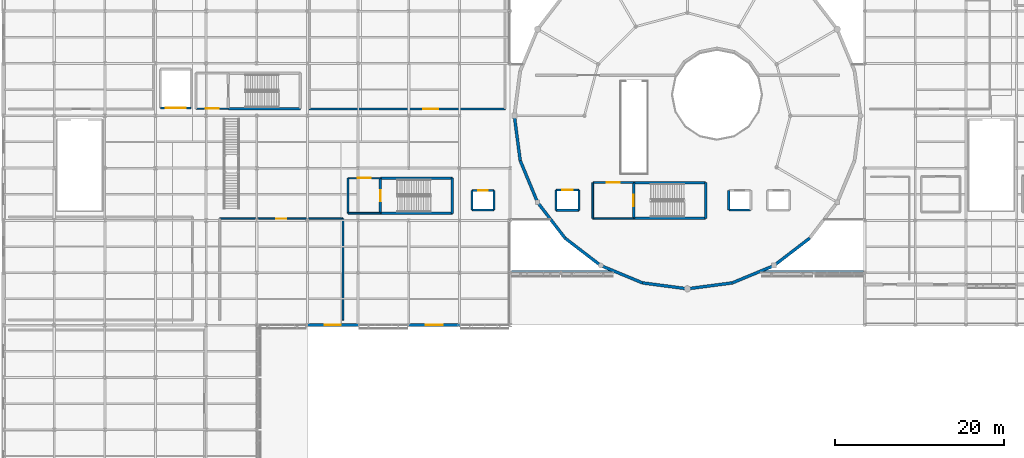
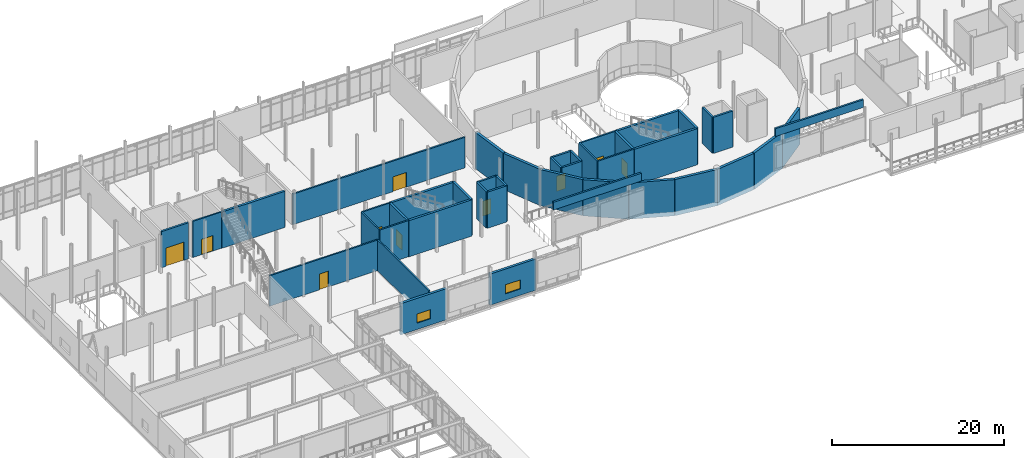
# One storey, part 67 of 105: 43 walls, 10 doors, 2 windows, 12 openings.
"""IFC4 building model written with IfcOpenShell, lengths in metres."""

from ifc_helpers import new_model, si_unit, direction, frame, frame_2d, origin, place, context, subcontext, project, spatial, rectangle, extrude, material, layer, layer_set, type_object, element, fill, save


model = new_model("IFC4")

# Units and contexts
model_context = context("Model", 3, precision=1e-05, world=origin(), true_north=direction((0.0, 1.0)))
body_context = subcontext(model_context, "Body", "Model", "MODEL_VIEW")
ifc_project = project(units=[si_unit("LENGTHUNIT", "METRE"), si_unit("AREAUNIT", "SQUARE_METRE"), si_unit("VOLUMEUNIT", "CUBIC_METRE"), si_unit("PLANEANGLEUNIT", "RADIAN"), si_unit("MASSUNIT", "GRAM", prefix="KILO")], contexts=[model_context])

# Site, building, storey
site_placement = place(None, origin())
site = spatial("IfcSite", under=ifc_project, at=site_placement, CompositionType="ELEMENT")
building_placement = place(site_placement, origin())
building = spatial("IfcBuilding", under=site, at=building_placement, Name="Mirzam Square Science Centre", CompositionType="ELEMENT")
storey_placement = place(building_placement, frame((0.0, 0.0, 5.39990234375)))
storey = spatial("IfcBuildingStorey", under=building, at=storey_placement, Name="L01", CompositionType="ELEMENT", Elevation=5.39990234375)

# Walls
ifc_material_1 = material(Name="Concrete C45/55", Category="concrete")
ifc_layer_1 = layer(ifc_material_1, 0.300048828125)
ifc_layer_set_1 = layer_set([ifc_layer_1], Name="W-CORE-300")
wall_type_1 = type_object("IfcWallType", Name="W-CORE-300", PredefinedType="SHEAR", material=ifc_layer_set_1)
for number, where, z_axis, x_axis, name in (
    (1, (44.639892578125, 50.43994140625, 0.0), (0.0, 0.0, 1.0), (1.0, 0.0, 0.0), "L01 CORE-1 south wall"),
    (2, (53.159912109375, 54.610107421875, 0.0), (0.0, 0.0, 1.0), (-1.0, 0.0, 0.0), "L01 CORE-1 north wall"),
):
    element("IfcWall", number, at=place(storey_placement, frame(where, z_axis=z_axis, x_axis=x_axis)), inside=storey, type_object=wall_type_1, Name=name, PredefinedType="SHEAR", context=body_context, shape_type="SweptSolid", body=[
        extrude(rectangle(XDim=8.52001953125, YDim=0.300048828125, at=frame_2d((4.260009765625, 0.0))), origin(), (0.0, 0.0, 1.0), 5.150146484375),
    ])

# Wall, opening, door
wall_1_placement = place(storey_placement, frame((44.639892578125, 54.610107421875, 0.0), z_axis=(0.0, 0.0, 1.0), x_axis=(0.0, -1.0, 0.0)))
wall_1 = element("IfcWall", 3, at=wall_1_placement, inside=storey, type_object=wall_type_1, Name="L01 CORE-1 west wall", PredefinedType="SHEAR", context=body_context, shape_type="SweptSolid", body=[
    extrude(rectangle(XDim=4.170166015625, YDim=0.300048828125, at=frame_2d((2.0849609375, 0.0))), origin(), (0.0, 0.0, 1.0), 5.150146484375),
])
opening_1_placement = place(wall_1_placement, frame((1.409912109375, 0.0, 0.0)))
opening_1 = element("IfcOpeningElement", 4, at=opening_1_placement, cuts=wall_1, Name="Opening DS-01", PredefinedType="OPENING", context=body_context, shape_type="SweptSolid", body=[
    extrude(rectangle(XDim=1.35009765625, YDim=2.199951171875, at=frame_2d((0.675048828125, 1.10009765625))), frame((0.0, 0.159912109375, 0.0), z_axis=(0.0, -1.0, 0.0), x_axis=(1.0, 0.0, 0.0)), (0.0, 0.0, 1.0), 0.320068359375),
])
ifc_material_2 = material(Name="Fire-Rated Powder-Coated Architectural Steel Door", Category="steel")
door_type_1 = type_object("IfcDoorType", Name="DR-STAIR-1350x2200", OperationType="NOTDEFINED", PredefinedType="DOOR", material=ifc_material_2)
door_1_placement = place(opening_1_placement, origin())
door_1 = element("IfcDoor", 5, at=door_1_placement, inside=storey, type_object=door_type_1, Name="DRS-1-L01", OperationType="SINGLE_SWING_LEFT", OverallHeight=2.199951171875, OverallWidth=1.35009765625, PredefinedType="DOOR", context=body_context, shape_type="SweptSolid", body=[
    extrude(rectangle(XDim=1.35009765625, YDim=2.199951171875, at=frame_2d((0.675048828125, 1.10009765625))), frame((0.0, 0.02490234375, 0.0), z_axis=(0.0, -1.0, 0.0), x_axis=(1.0, 0.0, 0.0)), (0.0, 0.0, 1.0), 0.050048828125),
])
fill(opening_1, door_1)

# Walls
wall_2_placement = place(storey_placement, frame((53.159912109375, 50.43994140625, 0.0), z_axis=(0.0, 0.0, 1.0), x_axis=(0.0, 1.0, 0.0)))
element("IfcWall", 6, at=wall_2_placement, inside=storey, type_object=wall_type_1, Name="L01 CORE-1 east wall", PredefinedType="SHEAR", context=body_context, shape_type="SweptSolid", body=[
    extrude(rectangle(XDim=4.170166015625, YDim=0.300048828125, at=frame_2d((2.0849609375, 0.0))), origin(), (0.0, 0.0, 1.0), 5.150146484375),
])
for number, where, z_axis, x_axis, name in (
    (7, (26.639892578125, 62.840087890625, 0.0), (0.0, 0.0, 1.0), (1.0, 0.0, 0.0), "L01 CORE-2 south wall"),
    (8, (74.639892578125, 49.840087890625, 0.0), (0.0, 0.0, 1.0), (1.0, 0.0, 0.0), "L01 CORE-3 south wall"),
    (9, (83.159912109375, 54.090087890625, 0.0), (0.0, 0.0, 1.0), (-1.0, 0.0, 0.0), "L01 CORE-3 north wall"),
):
    element("IfcWall", number, at=place(storey_placement, frame(where, z_axis=z_axis, x_axis=x_axis)), inside=storey, type_object=wall_type_1, Name=name, PredefinedType="SHEAR", context=body_context, shape_type="SweptSolid", body=[
        extrude(rectangle(XDim=8.52001953125, YDim=0.300048828125, at=frame_2d((4.260009765625, 0.0))), origin(), (0.0, 0.0, 1.0), 5.150146484375),
    ])

# Wall, opening, door
wall_3_placement = place(storey_placement, frame((74.639892578125, 54.090087890625, 0.0), z_axis=(0.0, 0.0, 1.0), x_axis=(0.0, -1.0, 0.0)))
wall_3 = element("IfcWall", 10, at=wall_3_placement, inside=storey, type_object=wall_type_1, Name="L01 CORE-3 west wall", PredefinedType="SHEAR", context=body_context, shape_type="SweptSolid", body=[
    extrude(rectangle(XDim=4.25, YDim=0.300048828125, at=frame_2d((2.125, 0.0))), origin(), (0.0, 0.0, 1.0), 5.150146484375),
])
opening_2_placement = place(wall_3_placement, frame((1.449951171875, 0.0, 0.0)))
opening_2 = element("IfcOpeningElement", 11, at=opening_2_placement, cuts=wall_3, Name="Opening DS-01", PredefinedType="OPENING", context=body_context, shape_type="SweptSolid", body=[
    extrude(rectangle(XDim=1.35009765625, YDim=2.199951171875, at=frame_2d((0.675048828125, 1.10009765625))), frame((0.0, 0.159912109375, 0.0), z_axis=(0.0, -1.0, 0.0), x_axis=(1.0, 0.0, 0.0)), (0.0, 0.0, 1.0), 0.320068359375),
])
door_2_placement = place(opening_2_placement, origin())
door_2 = element("IfcDoor", 12, at=door_2_placement, inside=storey, type_object=door_type_1, Name="DRS-3-L01", OperationType="SINGLE_SWING_LEFT", OverallHeight=2.199951171875, OverallWidth=1.35009765625, PredefinedType="DOOR", context=body_context, shape_type="SweptSolid", body=[
    extrude(rectangle(XDim=1.35009765625, YDim=2.199951171875, at=frame_2d((0.675048828125, 1.10009765625))), frame((0.0, 0.02490234375, 0.0), z_axis=(0.0, -1.0, 0.0), x_axis=(1.0, 0.0, 0.0)), (0.0, 0.0, 1.0), 0.050048828125),
])
fill(opening_2, door_2)

# Walls
wall_4_placement = place(storey_placement, frame((83.159912109375, 49.840087890625, 0.0), z_axis=(0.0, 0.0, 1.0), x_axis=(0.0, 1.0, 0.0)))
element("IfcWall", 13, at=wall_4_placement, inside=storey, type_object=wall_type_1, Name="L01 CORE-3 east wall", PredefinedType="SHEAR", context=body_context, shape_type="SweptSolid", body=[
    extrude(rectangle(XDim=4.25, YDim=0.300048828125, at=frame_2d((2.125, 0.0))), origin(), (0.0, 0.0, 1.0), 5.150146484375),
])
ifc_layer_2 = layer(ifc_material_1, 0.35009765625)
ifc_layer_set_2 = layer_set([ifc_layer_2], Name="W-DRUM-350")
wall_type_2 = type_object("IfcWallType", Name="W-DRUM-350", PredefinedType="SHEAR", material=ifc_layer_set_2)
wall_5_placement = place(storey_placement, frame((60.5, 62.0, 0.0), z_axis=(0.0, 0.0, 1.0), x_axis=(0.130517056518, -0.991446064069, 0.0)))
element("IfcWall", 14, at=wall_5_placement, inside=storey, type_object=wall_type_2, Name="L01 planetarium drum wall 13", PredefinedType="SHEAR", context=body_context, shape_type="SweptSolid", body=[
    extrude(rectangle(XDim=5.351806640625, YDim=0.35009765625, at=frame_2d((2.67578125, 0.0))), origin(), (0.0, 0.0, 1.0), 5.150146484375),
])
for number, where, z_axis, x_axis, name in (
    (15, (61.198486328125, 56.694091796875, 0.0), (0.0, 0.0, 1.0), (0.382713071139, -0.923867255172, 0.0), "L01 planetarium drum wall 14"),
    (16, (63.24658203125, 51.75, 0.0), (0.0, 0.0, 1.0), (0.60876670321, -0.793349293227, 0.0), "L01 planetarium drum wall 15"),
    (17, (66.50439453125, 47.50439453125, 0.0), (0.0, 0.0, 1.0), (0.793349293227, -0.60876670321, 0.0), "L01 planetarium drum wall 16"),
    (18, (70.75, 44.24658203125, 0.0), (0.0, 0.0, 1.0), (0.923867255172, -0.382713071139, 0.0), "L01 planetarium drum wall 17"),
):
    element("IfcWall", number, at=place(storey_placement, frame(where, z_axis=z_axis, x_axis=x_axis)), inside=storey, type_object=wall_type_2, Name=name, PredefinedType="SHEAR", context=body_context, shape_type="SweptSolid", body=[
        extrude(rectangle(XDim=5.3515625, YDim=0.35009765625, at=frame_2d((2.67578125, 0.0))), origin(), (0.0, 0.0, 1.0), 5.150146484375),
    ])
for number, where, z_axis, x_axis, name in (
    (19, (75.694091796875, 42.198486328125, 0.0), (0.0, 0.0, 1.0), (0.991446064069, -0.130517056518, 0.0), "L01 planetarium drum wall 18"),
    (20, (81.0, 41.5, 0.0), (0.0, 0.0, 1.0), (0.991446064069, 0.130517056518, 0.0), "L01 planetarium drum wall 19"),
):
    element("IfcWall", number, at=place(storey_placement, frame(where, z_axis=z_axis, x_axis=x_axis)), inside=storey, type_object=wall_type_2, Name=name, PredefinedType="SHEAR", context=body_context, shape_type="SweptSolid", body=[
        extrude(rectangle(XDim=5.351806640625, YDim=0.35009765625, at=frame_2d((2.67578125, 0.0))), origin(), (0.0, 0.0, 1.0), 5.150146484375),
    ])
for number, where, z_axis, x_axis, name in (
    (21, (86.305908203125, 42.198486328125, 0.0), (0.0, 0.0, 1.0), (0.923867255172, 0.382713071139, 0.0), "L01 planetarium drum wall 20"),
    (22, (91.25, 44.24658203125, 0.0), (0.0, 0.0, 1.0), (0.793349293227, 0.60876670321, 0.0), "L01 planetarium drum wall 21"),
):
    element("IfcWall", number, at=place(storey_placement, frame(where, z_axis=z_axis, x_axis=x_axis)), inside=storey, type_object=wall_type_2, Name=name, PredefinedType="SHEAR", context=body_context, shape_type="SweptSolid", body=[
        extrude(rectangle(XDim=5.3515625, YDim=0.35009765625, at=frame_2d((2.67578125, 0.0))), origin(), (0.0, 0.0, 1.0), 5.150146484375),
    ])

# Wall, opening, window
ifc_material_3 = material(Name="Standing-Seam Zinc-Clad Concrete Backup C40/50", Category="concrete")
ifc_layer_3 = layer(ifc_material_3, 0.330078125)
ifc_layer_set_3 = layer_set([ifc_layer_3], Name="W-EXT-METAL-330")
wall_type_3 = type_object("IfcWallType", Name="W-EXT-METAL-330", PredefinedType="SOLIDWALL", material=ifc_layer_set_3)
wall_6_placement = place(storey_placement, frame((35.925048828125, 37.199951171875, 0.0), z_axis=(0.0, 0.0, 1.0), x_axis=(1.0, 0.0, 0.0)))
wall_6 = element("IfcWall", 23, at=wall_6_placement, inside=storey, type_object=wall_type_3, Name="L01 external wall EW-WDG-S-L01-07", PredefinedType="SOLIDWALL", context=body_context, shape_type="SweptSolid", body=[
    extrude(rectangle(XDim=6.14990234375, YDim=0.330078125, at=frame_2d((3.074951171875, 0.0))), origin(), (0.0, 0.0, 1.0), 4.440185546875),
])
opening_3_placement = place(wall_6_placement, frame((2.14990234375, 0.0, 0.89990234375)))
opening_3 = element("IfcOpeningElement", 24, at=opening_3_placement, cuts=wall_6, Name="Opening W-06", PredefinedType="OPENING", context=body_context, shape_type="SweptSolid", body=[
    extrude(rectangle(XDim=1.85009765625, YDim=1.300048828125, at=frame_2d((0.925048828125, 0.64990234375))), frame((0.0, 0.175048828125, 0.0), z_axis=(0.0, -1.0, 0.0), x_axis=(1.0, 0.0, 0.0)), (0.0, 0.0, 1.0), 0.35009765625),
])
ifc_material_4 = material(Name="Thermally Broken Bronze Aluminium and Low-E Glass", Category="aluminium")
window_type_1 = type_object("IfcWindowType", Name="WIN-1850x1300", PartitioningType="DOUBLE_PANEL_VERTICAL", PredefinedType="WINDOW", material=ifc_material_4)
window_1_placement = place(opening_3_placement, origin())
window_1 = element("IfcWindow", 25, at=window_1_placement, inside=storey, type_object=window_type_1, Name="L01 solar window 006", OverallHeight=1.300048828125, OverallWidth=1.85009765625, PartitioningType="DOUBLE_PANEL_VERTICAL", PredefinedType="WINDOW", context=body_context, shape_type="SweptSolid", body=[
    extrude(rectangle(XDim=1.85009765625, YDim=1.300048828125, at=frame_2d((0.925048828125, 0.64990234375))), frame((0.0, 0.030029296875, 0.0), z_axis=(0.0, -1.0, 0.0), x_axis=(1.0, 0.0, 0.0)), (0.0, 0.0, 1.0), 0.06005859375),
])
fill(opening_3, window_1)

wall_7_placement = place(storey_placement, frame((47.925048828125, 37.199951171875, 0.0), z_axis=(0.0, 0.0, 1.0), x_axis=(1.0, 0.0, 0.0)))
wall_7 = element("IfcWall", 26, at=wall_7_placement, inside=storey, type_object=wall_type_3, Name="L01 external wall EW-WDG-S-L01-09", PredefinedType="SOLIDWALL", context=body_context, shape_type="SweptSolid", body=[
    extrude(rectangle(XDim=6.14990234375, YDim=0.330078125, at=frame_2d((3.074951171875, 0.0))), origin(), (0.0, 0.0, 1.0), 4.440185546875),
])
opening_4_placement = place(wall_7_placement, frame((2.074951171875, 0.0, 0.89990234375)))
opening_4 = element("IfcOpeningElement", 27, at=opening_4_placement, cuts=wall_7, Name="Opening W-07", PredefinedType="OPENING", context=body_context, shape_type="SweptSolid", body=[
    extrude(rectangle(XDim=2.0, YDim=1.300048828125, at=frame_2d((1.0, 0.64990234375))), frame((0.0, 0.175048828125, 0.0), z_axis=(0.0, -1.0, 0.0), x_axis=(1.0, 0.0, 0.0)), (0.0, 0.0, 1.0), 0.35009765625),
])
window_type_2 = type_object("IfcWindowType", Name="WIN-2000x1300", PartitioningType="DOUBLE_PANEL_VERTICAL", PredefinedType="WINDOW", material=ifc_material_4)
window_2_placement = place(opening_4_placement, origin())
window_2 = element("IfcWindow", 28, at=window_2_placement, inside=storey, type_object=window_type_2, Name="L01 solar window 007", OverallHeight=1.300048828125, OverallWidth=2.0, PartitioningType="DOUBLE_PANEL_VERTICAL", PredefinedType="WINDOW", context=body_context, shape_type="SweptSolid", body=[
    extrude(rectangle(XDim=2.0, YDim=1.300048828125, at=frame_2d((1.0, 0.64990234375))), frame((0.0, 0.030029296875, 0.0), z_axis=(0.0, -1.0, 0.0), x_axis=(1.0, 0.0, 0.0)), (0.0, 0.0, 1.0), 0.06005859375),
])
fill(opening_4, window_2)

# Wall
ifc_layer_4 = layer(ifc_material_1, 0.199951171875)
ifc_layer_set_4 = layer_set([ifc_layer_4], Name="W-LOBBY-200")
wall_type_4 = type_object("IfcWallType", Name="W-LOBBY-200", PredefinedType="SHEAR", material=ifc_layer_set_4)
wall_8_placement = place(storey_placement, frame((40.800048828125, 50.43994140625, 0.0), z_axis=(0.0, 0.0, 1.0), x_axis=(1.0, 0.0, 0.0)))
element("IfcWall", 29, at=wall_8_placement, inside=storey, type_object=wall_type_4, Name="L01 CORE-1 lobby south wall", PredefinedType="SHEAR", context=body_context, shape_type="SweptSolid", body=[
    extrude(rectangle(XDim=3.83984375, YDim=0.199951171875, at=frame_2d((1.919921875, 0.0))), origin(), (0.0, 0.0, 1.0), 5.150146484375),
])

# Wall, opening, door
wall_9_placement = place(storey_placement, frame((44.639892578125, 54.610107421875, 0.0), z_axis=(0.0, 0.0, 1.0), x_axis=(-1.0, 0.0, 0.0)))
wall_9 = element("IfcWall", 30, at=wall_9_placement, inside=storey, type_object=wall_type_4, Name="L01 CORE-1 lobby north wall", PredefinedType="SHEAR", context=body_context, shape_type="SweptSolid", body=[
    extrude(rectangle(XDim=3.83984375, YDim=0.199951171875, at=frame_2d((1.919921875, 0.0))), origin(), (0.0, 0.0, 1.0), 5.150146484375),
])
opening_5_placement = place(wall_9_placement, frame((1.14501953125, 0.0, 0.0)))
opening_5 = element("IfcOpeningElement", 31, at=opening_5_placement, cuts=wall_9, Name="Opening DL-01", PredefinedType="OPENING", context=body_context, shape_type="SweptSolid", body=[
    extrude(rectangle(XDim=1.550048828125, YDim=2.199951171875, at=frame_2d((0.77490234375, 1.10009765625))), frame((0.0, 0.10986328125, 0.0), z_axis=(0.0, -1.0, 0.0), x_axis=(1.0, 0.0, 0.0)), (0.0, 0.0, 1.0), 0.219970703125),
])
ifc_material_5 = material(Name="Fire-Rated Glazed Architectural Steel Lobby Door", Category="steel")
door_type_2 = type_object("IfcDoorType", Name="DR-LOBBY-1550x2200", OperationType="DOUBLE_DOOR_SINGLE_SWING", PredefinedType="DOOR", material=ifc_material_5)
door_3_placement = place(opening_5_placement, origin())
door_3 = element("IfcDoor", 32, at=door_3_placement, inside=storey, type_object=door_type_2, Name="DRL-1-L01", OperationType="SINGLE_SWING_LEFT", OverallHeight=2.199951171875, OverallWidth=1.550048828125, PredefinedType="DOOR", context=body_context, shape_type="SweptSolid", body=[
    extrude(rectangle(XDim=1.550048828125, YDim=2.199951171875, at=frame_2d((0.77490234375, 1.10009765625))), frame((0.0, 0.02490234375, 0.0), z_axis=(0.0, -1.0, 0.0), x_axis=(1.0, 0.0, 0.0)), (0.0, 0.0, 1.0), 0.050048828125),
])
fill(opening_5, door_3)

# Wall
wall_10_placement = place(storey_placement, frame((40.800048828125, 54.610107421875, 0.0), z_axis=(0.0, 0.0, 1.0), x_axis=(0.0, -1.0, 0.0)))
element("IfcWall", 33, at=wall_10_placement, inside=storey, type_object=wall_type_4, Name="L01 CORE-1 lobby west wall", PredefinedType="SHEAR", context=body_context, shape_type="SweptSolid", body=[
    extrude(rectangle(XDim=4.170166015625, YDim=0.199951171875, at=frame_2d((2.0849609375, 0.0))), origin(), (0.0, 0.0, 1.0), 5.150146484375),
])

# Wall, opening, door
wall_11_placement = place(storey_placement, frame((22.800048828125, 62.840087890625, 0.0), z_axis=(0.0, 0.0, 1.0), x_axis=(1.0, 0.0, 0.0)))
wall_11 = element("IfcWall", 34, at=wall_11_placement, inside=storey, type_object=wall_type_4, Name="L01 CORE-2 lobby south wall", PredefinedType="SHEAR", context=body_context, shape_type="SweptSolid", body=[
    extrude(rectangle(XDim=3.83984375, YDim=0.199951171875, at=frame_2d((1.919921875, 0.0))), origin(), (0.0, 0.0, 1.0), 5.150146484375),
])
opening_6_placement = place(wall_11_placement, frame((1.14501953125, 0.0, 0.0)))
opening_6 = element("IfcOpeningElement", 35, at=opening_6_placement, cuts=wall_11, Name="Opening DL-01", PredefinedType="OPENING", context=body_context, shape_type="SweptSolid", body=[
    extrude(rectangle(XDim=1.550048828125, YDim=2.199951171875, at=frame_2d((0.77490234375, 1.10009765625))), frame((0.0, 0.10986328125, 0.0), z_axis=(0.0, -1.0, 0.0), x_axis=(1.0, 0.0, 0.0)), (0.0, 0.0, 1.0), 0.219970703125),
])
door_4_placement = place(opening_6_placement, origin())
door_4 = element("IfcDoor", 36, at=door_4_placement, inside=storey, type_object=door_type_2, Name="DRL-2-L01", OperationType="SINGLE_SWING_LEFT", OverallHeight=2.199951171875, OverallWidth=1.550048828125, PredefinedType="DOOR", context=body_context, shape_type="SweptSolid", body=[
    extrude(rectangle(XDim=1.550048828125, YDim=2.199951171875, at=frame_2d((0.77490234375, 1.10009765625))), frame((0.0, 0.02490234375, 0.0), z_axis=(0.0, -1.0, 0.0), x_axis=(1.0, 0.0, 0.0)), (0.0, 0.0, 1.0), 0.050048828125),
])
fill(opening_6, door_4)

# Wall
wall_12_placement = place(storey_placement, frame((69.800048828125, 49.840087890625, 0.0), z_axis=(0.0, 0.0, 1.0), x_axis=(1.0, 0.0, 0.0)))
element("IfcWall", 37, at=wall_12_placement, inside=storey, type_object=wall_type_4, Name="L01 CORE-3 lobby south wall", PredefinedType="SHEAR", context=body_context, shape_type="SweptSolid", body=[
    extrude(rectangle(XDim=4.83984375, YDim=0.199951171875, at=frame_2d((2.419921875, 0.0))), origin(), (0.0, 0.0, 1.0), 5.150146484375),
])

# Wall, opening, door
wall_13_placement = place(storey_placement, frame((74.639892578125, 54.090087890625, 0.0), z_axis=(0.0, 0.0, 1.0), x_axis=(-1.0, 0.0, 0.0)))
wall_13 = element("IfcWall", 38, at=wall_13_placement, inside=storey, type_object=wall_type_4, Name="L01 CORE-3 lobby north wall", PredefinedType="SHEAR", context=body_context, shape_type="SweptSolid", body=[
    extrude(rectangle(XDim=4.83984375, YDim=0.199951171875, at=frame_2d((2.419921875, 0.0))), origin(), (0.0, 0.0, 1.0), 5.150146484375),
])
opening_7_placement = place(wall_13_placement, frame((1.64501953125, 0.0, 0.0)))
opening_7 = element("IfcOpeningElement", 39, at=opening_7_placement, cuts=wall_13, Name="Opening DL-01", PredefinedType="OPENING", context=body_context, shape_type="SweptSolid", body=[
    extrude(rectangle(XDim=1.550048828125, YDim=2.199951171875, at=frame_2d((0.77490234375, 1.10009765625))), frame((0.0, 0.10986328125, 0.0), z_axis=(0.0, -1.0, 0.0), x_axis=(1.0, 0.0, 0.0)), (0.0, 0.0, 1.0), 0.219970703125),
])
door_5_placement = place(opening_7_placement, origin())
door_5 = element("IfcDoor", 40, at=door_5_placement, inside=storey, type_object=door_type_2, Name="DRL-3-L01", OperationType="SINGLE_SWING_LEFT", OverallHeight=2.199951171875, OverallWidth=1.550048828125, PredefinedType="DOOR", context=body_context, shape_type="SweptSolid", body=[
    extrude(rectangle(XDim=1.550048828125, YDim=2.199951171875, at=frame_2d((0.77490234375, 1.10009765625))), frame((0.0, 0.02490234375, 0.0), z_axis=(0.0, -1.0, 0.0), x_axis=(1.0, 0.0, 0.0)), (0.0, 0.0, 1.0), 0.050048828125),
])
fill(opening_7, door_5)

# Walls
wall_14_placement = place(storey_placement, frame((69.800048828125, 54.090087890625, 0.0), z_axis=(0.0, 0.0, 1.0), x_axis=(0.0, -1.0, 0.0)))
element("IfcWall", 41, at=wall_14_placement, inside=storey, type_object=wall_type_4, Name="L01 CORE-3 lobby west wall", PredefinedType="SHEAR", context=body_context, shape_type="SweptSolid", body=[
    extrude(rectangle(XDim=4.25, YDim=0.199951171875, at=frame_2d((2.125, 0.0))), origin(), (0.0, 0.0, 1.0), 5.150146484375),
])
ifc_material_6 = material(Name="Limestone Coping Parapet Concrete C40/50", Category="masonry")
ifc_layer_5 = layer(ifc_material_6, 0.239990234375)
ifc_layer_set_5 = layer_set([ifc_layer_5], Name="W-PARAPET-240")
wall_type_5 = type_object("IfcWallType", Name="W-PARAPET-240", PredefinedType="PARAPET", material=ifc_layer_set_5)
for number, where, z_axis, x_axis, name in (
    (42, (60.14990234375, 43.550048828125, 5.400146484375), (0.0, 0.0, 1.0), (1.0, 0.0, 0.0), "Central link roof S parapet LNK-W"),
    (43, (90.0, 43.550048828125, 5.400146484375), (0.0, 0.0, 1.0), (1.0, 0.0, 0.0), "Central link roof S parapet LNK-E"),
):
    element("IfcWall", number, at=place(storey_placement, frame(where, z_axis=z_axis, x_axis=x_axis)), inside=storey, type_object=wall_type_5, Name=name, PredefinedType="PARAPET", context=body_context, shape_type="SweptSolid", body=[
        extrude(rectangle(XDim=11.85009765625, YDim=0.239990234375, at=frame_2d((5.925048828125, 0.0))), origin(), (0.0, 0.0, 1.0), 1.099853515625),
    ])

# Wall, opening, door
ifc_material_7 = material(Name="Fire-Rated Corridor Blockwork Concrete C30/37", Category="masonry")
ifc_layer_6 = layer(ifc_material_7, 0.199951171875)
ifc_layer_set_6 = layer_set([ifc_layer_6], Name="W-PART-200")
wall_type_6 = type_object("IfcWallType", Name="W-PART-200", PredefinedType="PARTITIONING", material=ifc_layer_set_6)
wall_15_placement = place(storey_placement, frame((25.60009765625, 49.800048828125, 0.0), z_axis=(0.0, 0.0, 1.0), x_axis=(1.0, 0.0, 0.0)))
wall_15 = element("IfcWall", 44, at=wall_15_placement, inside=storey, type_object=wall_type_6, Name="L01 Applied Mechanics and Wind Tunnel Laboratory partition 151", PredefinedType="PARTITIONING", context=body_context, shape_type="SweptSolid", body=[
    extrude(rectangle(XDim=14.599853515625, YDim=0.199951171875, at=frame_2d((7.2998046875, 0.0))), origin(), (0.0, 0.0, 1.0), 4.35009765625),
])
opening_8_placement = place(wall_15_placement, frame((6.699951171875, 0.0, 0.0)))
opening_8 = element("IfcOpeningElement", 45, at=opening_8_placement, cuts=wall_15, Name="Opening D-18", PredefinedType="OPENING", context=body_context, shape_type="SweptSolid", body=[
    extrude(rectangle(XDim=1.199951171875, YDim=2.25, at=frame_2d((0.60009765625, 1.125))), frame((0.0, 0.10986328125, 0.0), z_axis=(0.0, -1.0, 0.0), x_axis=(1.0, 0.0, 0.0)), (0.0, 0.0, 1.0), 0.219970703125),
])
ifc_material_8 = material(Name="Solid Core Acoustic Oak Timber Door", Category="wood")
door_type_3 = type_object("IfcDoorType", Name="DR-INT-1200x2250", OperationType="NOTDEFINED", PredefinedType="DOOR", material=ifc_material_8)
door_6_placement = place(opening_8_placement, origin())
door_6 = element("IfcDoor", 46, at=door_6_placement, inside=storey, type_object=door_type_3, Name="ID-L01-0041", OperationType="SINGLE_SWING_RIGHT", OverallHeight=2.25, OverallWidth=1.199951171875, PredefinedType="DOOR", context=body_context, shape_type="SweptSolid", body=[
    extrude(rectangle(XDim=1.199951171875, YDim=2.25, at=frame_2d((0.60009765625, 1.125))), frame((0.0, 0.02490234375, 0.0), z_axis=(0.0, -1.0, 0.0), x_axis=(1.0, 0.0, 0.0)), (0.0, 0.0, 1.0), 0.050048828125),
])
fill(opening_8, door_6)

# Wall
wall_16_placement = place(storey_placement, frame((40.199951171875, 49.800048828125, 0.0), z_axis=(0.0, 0.0, 1.0), x_axis=(0.0, -1.0, 0.0)))
element("IfcWall", 47, at=wall_16_placement, inside=storey, type_object=wall_type_6, Name="L01 Applied Mechanics and Wind Tunnel Laboratory partition 152", PredefinedType="PARTITIONING", context=body_context, shape_type="SweptSolid", body=[
    extrude(rectangle(XDim=12.0, YDim=0.199951171875, at=frame_2d((6.0, 0.0))), origin(), (0.0, 0.0, 1.0), 4.35009765625),
])

# Wall, opening, door
ifc_material_9 = material(Name="Chemical Prep Fire Partition Concrete C30/37", Category="concrete")
ifc_layer_7 = layer(ifc_material_9, 0.215087890625)
ifc_layer_set_7 = layer_set([ifc_layer_7], Name="W-PART-215")
wall_type_7 = type_object("IfcWallType", Name="W-PART-215", PredefinedType="PARTITIONING", material=ifc_layer_set_7)
wall_17_placement = place(storey_placement, frame((59.39990234375, 62.800048828125, 0.0), z_axis=(0.0, 0.0, 1.0), x_axis=(-1.0, 0.0, 0.0)))
wall_17 = element("IfcWall", 48, at=wall_17_placement, inside=storey, type_object=wall_type_7, Name="L01 Optics and Acoustics Exhibition Hall 3 partition 118", PredefinedType="PARTITIONING", context=body_context, shape_type="SweptSolid", body=[
    extrude(rectangle(XDim=23.199951171875, YDim=0.215087890625, at=frame_2d((11.60009765625, 0.0))), origin(), (0.0, 0.0, 1.0), 4.35009765625),
])
opening_9_placement = place(wall_17_placement, frame((7.916015625, 0.0, 0.0)))
opening_9 = element("IfcOpeningElement", 49, at=opening_9_placement, cuts=wall_17, Name="Opening D-09", PredefinedType="OPENING", context=body_context, shape_type="SweptSolid", body=[
    extrude(rectangle(XDim=1.800048828125, YDim=2.10009765625, at=frame_2d((0.89990234375, 1.050048828125))), frame((0.0, 0.117431640625, 0.0), z_axis=(0.0, -1.0, 0.0), x_axis=(1.0, 0.0, 0.0)), (0.0, 0.0, 1.0), 0.235107421875),
])
ifc_material_10 = material(Name="Powder-Coated Architectural Steel Acoustic Door", Category="steel")
door_type_4 = type_object("IfcDoorType", Name="DR-INT-1800x2100", OperationType="DOUBLE_DOOR_SINGLE_SWING", PredefinedType="DOOR", material=ifc_material_10)
door_7_placement = place(opening_9_placement, origin())
door_7 = element("IfcDoor", 50, at=door_7_placement, inside=storey, type_object=door_type_4, Name="ID-L01-0032", OperationType="DOUBLE_DOOR_SINGLE_SWING", OverallHeight=2.10009765625, OverallWidth=1.800048828125, PredefinedType="DOOR", context=body_context, shape_type="SweptSolid", body=[
    extrude(rectangle(XDim=1.800048828125, YDim=2.10009765625, at=frame_2d((0.89990234375, 1.050048828125))), frame((0.0, 0.02490234375, 0.0), z_axis=(0.0, -1.0, 0.0), x_axis=(1.0, 0.0, 0.0)), (0.0, 0.0, 1.0), 0.050048828125),
])
fill(opening_9, door_7)

# Walls
ifc_layer_8 = layer(ifc_material_1, 0.25)
ifc_layer_set_8 = layer_set([ifc_layer_8], Name="W-SHAFT-250")
wall_type_8 = type_object("IfcWallType", Name="W-SHAFT-250", PredefinedType="SHEAR", material=ifc_layer_set_8)
wall_18_placement = place(storey_placement, frame((85.89990234375, 50.85009765625, 0.0), z_axis=(0.0, 0.0, 1.0), x_axis=(1.0, 0.0, 0.0)))
element("IfcWall", 51, at=wall_18_placement, inside=storey, type_object=wall_type_8, Name="L01 lift LP-01 shaft wall S", PredefinedType="SHEAR", context=body_context, shape_type="SweptSolid", body=[
    extrude(rectangle(XDim=2.60009765625, YDim=0.25, at=frame_2d((1.300048828125, 0.0))), origin(), (0.0, 0.0, 1.0), 5.150146484375),
])
wall_19_placement = place(storey_placement, frame((85.89990234375, 53.14990234375, 0.0), z_axis=(0.0, 0.0, 1.0), x_axis=(0.0, -1.0, 0.0)))
element("IfcWall", 52, at=wall_19_placement, inside=storey, type_object=wall_type_8, Name="L01 lift LP-01 shaft wall W", PredefinedType="SHEAR", context=body_context, shape_type="SweptSolid", body=[
    extrude(rectangle(XDim=2.2998046875, YDim=0.25, at=frame_2d((1.14990234375, 0.0))), origin(), (0.0, 0.0, 1.0), 5.150146484375),
])
wall_20_placement = place(storey_placement, frame((55.5, 50.85009765625, 0.0), z_axis=(0.0, 0.0, 1.0), x_axis=(1.0, 0.0, 0.0)))
element("IfcWall", 53, at=wall_20_placement, inside=storey, type_object=wall_type_8, Name="L01 lift LP-04 shaft wall S", PredefinedType="SHEAR", context=body_context, shape_type="SweptSolid", body=[
    extrude(rectangle(XDim=2.60009765625, YDim=0.25, at=frame_2d((1.300048828125, 0.0))), origin(), (0.0, 0.0, 1.0), 5.150146484375),
])

# Wall, opening, door
wall_21_placement = place(storey_placement, frame((58.10009765625, 53.14990234375, 0.0), z_axis=(0.0, 0.0, 1.0), x_axis=(-1.0, 0.0, 0.0)))
wall_21 = element("IfcWall", 54, at=wall_21_placement, inside=storey, type_object=wall_type_8, Name="L01 lift LP-04 shaft wall N", PredefinedType="SHEAR", context=body_context, shape_type="SweptSolid", body=[
    extrude(rectangle(XDim=2.60009765625, YDim=0.25, at=frame_2d((1.300048828125, 0.0))), origin(), (0.0, 0.0, 1.0), 5.150146484375),
])
opening_10_placement = place(wall_21_placement, frame((0.75, 0.0, 0.0)))
opening_10 = element("IfcOpeningElement", 55, at=opening_10_placement, cuts=wall_21, Name="Opening LD-01", PredefinedType="OPENING", context=body_context, shape_type="SweptSolid", body=[
    extrude(rectangle(XDim=1.10009765625, YDim=2.14990234375, at=frame_2d((0.550048828125, 1.074951171875))), frame((0.0, 0.135009765625, 0.0), z_axis=(0.0, -1.0, 0.0), x_axis=(1.0, 0.0, 0.0)), (0.0, 0.0, 1.0), 0.27001953125),
])
ifc_material_11 = material(Name="Brushed Stainless Steel 316L Sliding Lift Door", Category="steel")
door_type_5 = type_object("IfcDoorType", Name="LD-PASS-1100x2150", OperationType="DOUBLE_DOOR_SLIDING", PredefinedType="DOOR", material=ifc_material_11)
door_8_placement = place(opening_10_placement, origin())
door_8 = element("IfcDoor", 56, at=door_8_placement, inside=storey, type_object=door_type_5, Name="LD-LP-04-L01", OperationType="DOUBLE_DOOR_SLIDING", OverallHeight=2.14990234375, OverallWidth=1.10009765625, PredefinedType="DOOR", context=body_context, shape_type="SweptSolid", body=[
    extrude(rectangle(XDim=1.10009765625, YDim=2.14990234375, at=frame_2d((0.550048828125, 1.074951171875))), frame((0.0, 0.02490234375, 0.0), z_axis=(0.0, -1.0, 0.0), x_axis=(1.0, 0.0, 0.0)), (0.0, 0.0, 1.0), 0.050048828125),
])
fill(opening_10, door_8)

# Walls
for number, where, z_axis, x_axis, name in (
    (57, (55.5, 53.14990234375, 0.0), (0.0, 0.0, 1.0), (0.0, -1.0, 0.0), "L01 lift LP-04 shaft wall W"),
    (58, (58.10009765625, 50.85009765625, 0.0), (0.0, 0.0, 1.0), (0.0, 1.0, 0.0), "L01 lift LP-04 shaft wall E"),
):
    element("IfcWall", number, at=place(storey_placement, frame(where, z_axis=z_axis, x_axis=x_axis)), inside=storey, type_object=wall_type_8, Name=name, PredefinedType="SHEAR", context=body_context, shape_type="SweptSolid", body=[
        extrude(rectangle(XDim=2.2998046875, YDim=0.25, at=frame_2d((1.14990234375, 0.0))), origin(), (0.0, 0.0, 1.0), 5.150146484375),
    ])
wall_22_placement = place(storey_placement, frame((65.449951171875, 50.800048828125, 0.0), z_axis=(0.0, 0.0, 1.0), x_axis=(1.0, 0.0, 0.0)))
element("IfcWall", 59, at=wall_22_placement, inside=storey, type_object=wall_type_8, Name="L01 lift LF-01 shaft wall S", PredefinedType="SHEAR", context=body_context, shape_type="SweptSolid", body=[
    extrude(rectangle(XDim=2.699951171875, YDim=0.25, at=frame_2d((1.35009765625, 0.0))), origin(), (0.0, 0.0, 1.0), 5.150146484375),
])

# Wall, opening, door
wall_23_placement = place(storey_placement, frame((68.14990234375, 53.199951171875, 0.0), z_axis=(0.0, 0.0, 1.0), x_axis=(-1.0, 0.0, 0.0)))
wall_23 = element("IfcWall", 60, at=wall_23_placement, inside=storey, type_object=wall_type_8, Name="L01 lift LF-01 shaft wall N", PredefinedType="SHEAR", context=body_context, shape_type="SweptSolid", body=[
    extrude(rectangle(XDim=2.699951171875, YDim=0.25, at=frame_2d((1.35009765625, 0.0))), origin(), (0.0, 0.0, 1.0), 5.150146484375),
])
opening_11_placement = place(wall_23_placement, frame((0.75, 0.0, 0.0)))
opening_11 = element("IfcOpeningElement", 61, at=opening_11_placement, cuts=wall_23, Name="Opening LD-02", PredefinedType="OPENING", context=body_context, shape_type="SweptSolid", body=[
    extrude(rectangle(XDim=1.199951171875, YDim=2.199951171875, at=frame_2d((0.60009765625, 1.10009765625))), frame((0.0, 0.135009765625, 0.0), z_axis=(0.0, -1.0, 0.0), x_axis=(1.0, 0.0, 0.0)), (0.0, 0.0, 1.0), 0.27001953125),
])
ifc_material_12 = material(Name="Firefighting Brushed Stainless Steel 316L Sliding Door", Category="steel")
door_type_6 = type_object("IfcDoorType", Name="LD-FIRE-1200x2200", OperationType="DOUBLE_DOOR_SLIDING", PredefinedType="DOOR", material=ifc_material_12)
door_9_placement = place(opening_11_placement, origin())
door_9 = element("IfcDoor", 62, at=door_9_placement, inside=storey, type_object=door_type_6, Name="LD-LF-01-L01", OperationType="DOUBLE_DOOR_SLIDING", OverallHeight=2.199951171875, OverallWidth=1.199951171875, PredefinedType="DOOR", context=body_context, shape_type="SweptSolid", body=[
    extrude(rectangle(XDim=1.199951171875, YDim=2.199951171875, at=frame_2d((0.60009765625, 1.10009765625))), frame((0.0, 0.02490234375, 0.0), z_axis=(0.0, -1.0, 0.0), x_axis=(1.0, 0.0, 0.0)), (0.0, 0.0, 1.0), 0.050048828125),
])
fill(opening_11, door_9)

# Walls
for number, where, z_axis, x_axis, name in (
    (63, (65.449951171875, 53.199951171875, 0.0), (0.0, 0.0, 1.0), (0.0, -1.0, 0.0), "L01 lift LF-01 shaft wall W"),
    (64, (68.14990234375, 50.800048828125, 0.0), (0.0, 0.0, 1.0), (0.0, 1.0, 0.0), "L01 lift LF-01 shaft wall E"),
):
    element("IfcWall", number, at=place(storey_placement, frame(where, z_axis=z_axis, x_axis=x_axis)), inside=storey, type_object=wall_type_8, Name=name, PredefinedType="SHEAR", context=body_context, shape_type="SweptSolid", body=[
        extrude(rectangle(XDim=2.39990234375, YDim=0.25, at=frame_2d((1.199951171875, 0.0))), origin(), (0.0, 0.0, 1.0), 5.150146484375),
    ])

# Wall, opening, door
wall_24_placement = place(storey_placement, frame((18.60009765625, 62.89990234375, 0.0), z_axis=(0.0, 0.0, 1.0), x_axis=(1.0, 0.0, 0.0)))
wall_24 = element("IfcWall", 65, at=wall_24_placement, inside=storey, type_object=wall_type_8, Name="L01 lift LG-01 shaft wall S", PredefinedType="SHEAR", context=body_context, shape_type="SweptSolid", body=[
    extrude(rectangle(XDim=3.599853515625, YDim=0.25, at=frame_2d((1.7998046875, 0.0))), origin(), (0.0, 0.0, 1.0), 5.150146484375),
])
opening_12_placement = place(wall_24_placement, frame((0.60009765625, 0.0, 0.0)))
opening_12 = element("IfcOpeningElement", 66, at=opening_12_placement, cuts=wall_24, Name="Opening LD-03", PredefinedType="OPENING", context=body_context, shape_type="SweptSolid", body=[
    extrude(rectangle(XDim=2.39990234375, YDim=2.60009765625, at=frame_2d((1.199951171875, 1.300048828125))), frame((0.0, 0.135009765625, 0.0), z_axis=(0.0, -1.0, 0.0), x_axis=(1.0, 0.0, 0.0)), (0.0, 0.0, 1.0), 0.27001953125),
])
ifc_material_13 = material(Name="Heavy-Duty Freight Stainless Steel Sliding Door", Category="steel")
door_type_7 = type_object("IfcDoorType", Name="LD-GOODS-2400x2600", OperationType="DOUBLE_DOOR_SLIDING", PredefinedType="DOOR", material=ifc_material_13)
door_10_placement = place(opening_12_placement, origin())
door_10 = element("IfcDoor", 67, at=door_10_placement, inside=storey, type_object=door_type_7, Name="LD-LG-01-L01", OperationType="DOUBLE_DOOR_SLIDING", OverallHeight=2.60009765625, OverallWidth=2.39990234375, PredefinedType="DOOR", context=body_context, shape_type="SweptSolid", body=[
    extrude(rectangle(XDim=2.39990234375, YDim=2.60009765625, at=frame_2d((1.199951171875, 1.300048828125))), frame((0.0, 0.02490234375, 0.0), z_axis=(0.0, -1.0, 0.0), x_axis=(1.0, 0.0, 0.0)), (0.0, 0.0, 1.0), 0.050048828125),
])
fill(opening_12, door_10)

save(model, "model.ifc")
